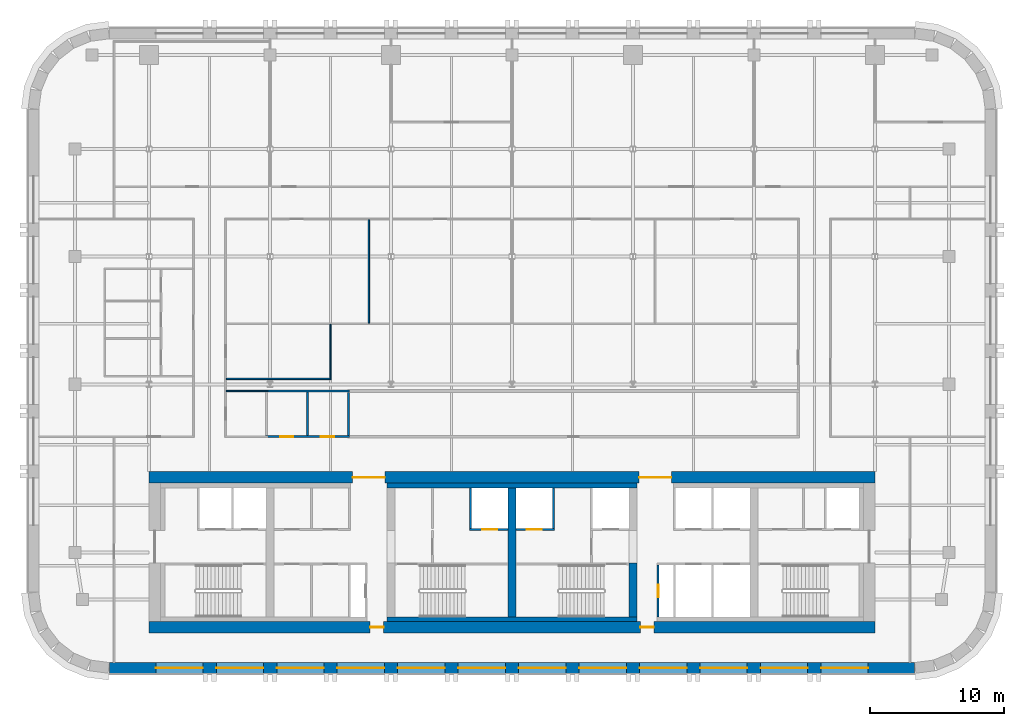
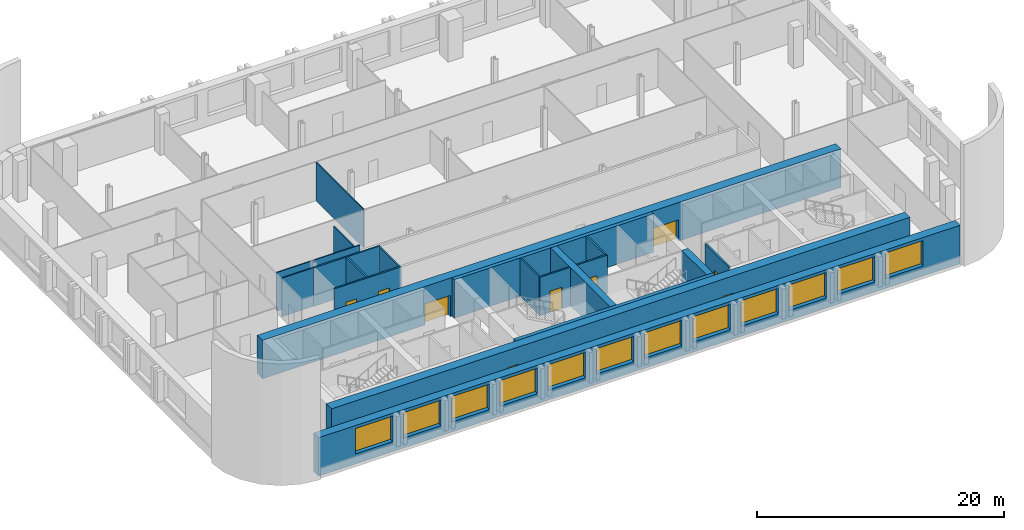
# One storey, part 4 of 9: 20 walls, 12 windows, 9 doors, 21 openings.
"""IFC4 building model written with IfcOpenShell, lengths in metres."""

from ifc_helpers import new_model, si_unit, direction, frame, frame_2d, origin, place, context, subcontext, project, spatial, rectangle, extrude, material, layer, layer_set, type_object, element, fill, save


model = new_model("IFC4")

# Units and contexts
model_context = context("Model", 3, precision=1e-05, world=origin(), true_north=direction((0.0, 1.0)))
body_context = subcontext(model_context, "Body", "Model", "MODEL_VIEW")
ifc_project = project(units=[si_unit("LENGTHUNIT", "METRE"), si_unit("AREAUNIT", "SQUARE_METRE"), si_unit("VOLUMEUNIT", "CUBIC_METRE"), si_unit("PLANEANGLEUNIT", "RADIAN"), si_unit("MASSUNIT", "GRAM", prefix="KILO")], contexts=[model_context])

# Site, building, storey
site_placement = place(None, origin())
site = spatial("IfcSite", under=ifc_project, at=site_placement, CompositionType="ELEMENT")
building_placement = place(site_placement, origin())
building = spatial("IfcBuilding", under=site, at=building_placement, Name="Zellij Exchange Tower", CompositionType="ELEMENT")
storey_placement = place(building_placement, frame((0.0, 0.0, 176.5)))
storey = spatial("IfcBuildingStorey", under=building, at=storey_placement, Name="L40", CompositionType="ELEMENT", Elevation=176.5)

# Walls
ifc_material_1 = material(Name="Concrete C60/75", Category="concrete")
ifc_layer_1 = layer(ifc_material_1, 0.60009765625)
ifc_layer_set_1 = layer_set([ifc_layer_1], Name="Concrete C60/75")
wall_type_1 = type_object("IfcWallType", Name="CORE-CW 600 C60/75", PredefinedType="SHEAR", material=ifc_layer_set_1)
wall_1_placement = place(storey_placement, frame((0.0, -12.800048828125, 0.0), z_axis=(0.0, 0.0, 1.0), x_axis=(0.0, 1.0, 0.0)))
element("IfcWall", 1, at=wall_1_placement, inside=storey, type_object=wall_type_1, Name="Core cross wall x 0 L40", PredefinedType="SHEAR", context=body_context, shape_type="SweptSolid", body=[
    extrude(rectangle(XDim=9.60009765625, YDim=0.60009765625, at=frame_2d((4.800048828125, 0.0))), origin(), (0.0, 0.0, 1.0), 3.800048828125),
])
wall_2_placement = place(storey_placement, frame((9.0, -12.800048828125, 0.0), z_axis=(0.0, 0.0, 1.0), x_axis=(0.0, 1.0, 0.0)))
element("IfcWall", 2, at=wall_2_placement, inside=storey, type_object=wall_type_1, Name="Core cross wall pier x 9 a L40", PredefinedType="SHEAR", context=body_context, shape_type="SweptSolid", body=[
    extrude(rectangle(XDim=4.0, YDim=0.60009765625, at=frame_2d((2.0, 0.0))), origin(), (0.0, 0.0, 1.0), 3.800048828125),
])
ifc_material_2 = material(Name="Concrete C30/37", Category="concrete")
ifc_layer_2 = layer(ifc_material_2, 0.35009765625)
ifc_layer_set_2 = layer_set([ifc_layer_2], Name="Concrete C30/37")
wall_type_2 = type_object("IfcWallType", Name="CORE-LW 350 C30/37", PredefinedType="SHEAR", material=ifc_layer_set_2)
for number, where, z_axis, x_axis, name in (
    (3, (-9.300048828125, -3.02490234375, 0.0), (0.0, 0.0, 1.0), (1.0, 0.0, 0.0), "Core wall lining front.1 L40"),
    (4, (-9.300048828125, -12.97509765625, 0.0), (0.0, 0.0, 1.0), (1.0, 0.0, 0.0), "Core wall lining rear.1 L40"),
):
    element("IfcWall", number, at=place(storey_placement, frame(where, z_axis=z_axis, x_axis=x_axis)), inside=storey, type_object=wall_type_2, Name=name, PredefinedType="SHEAR", context=body_context, shape_type="SweptSolid", body=[
        extrude(rectangle(XDim=18.60009765625, YDim=0.35009765625, at=frame_2d((9.300048828125, 0.0))), origin(), (0.0, 0.0, 1.0), 3.800048828125),
    ])

# Wall, opening, door
ifc_material_3 = material(Name="Gypsum board partition")
ifc_layer_3 = layer(ifc_material_3, 0.14990234375)
ifc_layer_set_3 = layer_set([ifc_layer_3], Name="Gypsum board partition")
wall_type_3 = type_object("IfcWallType", Name="CORE-PW 150 Lift lobby wall", PredefinedType="PARTITIONING", material=ifc_layer_set_3)
wall_3_placement = place(storey_placement, frame((10.875, -12.800048828125, 0.0), z_axis=(0.0, 0.0, 1.0), x_axis=(0.0, 1.0, 0.0)))
wall_3 = element("IfcWall", 5, at=wall_3_placement, inside=storey, type_object=wall_type_3, Name="Lift lobby wall L40", PredefinedType="PARTITIONING", context=body_context, shape_type="SweptSolid", body=[
    extrude(rectangle(XDim=3.85009765625, YDim=0.14990234375, at=frame_2d((1.925048828125, 0.0))), origin(), (0.0, 0.0, 1.0), 3.800048828125),
])
opening_1_placement = place(wall_3_placement, frame((1.47509765625, 0.0, 0.0)))
opening_1 = element("IfcOpeningElement", 6, at=opening_1_placement, cuts=wall_3, Name="Opening CA-22.21", PredefinedType="OPENING", context=body_context, shape_type="SweptSolid", body=[
    extrude(rectangle(XDim=0.89990234375, YDim=2.10009765625, at=frame_2d((0.449951171875, 1.050048828125))), frame((0.0, 0.0869140625, 0.0), z_axis=(0.0, -1.0, 0.0), x_axis=(1.0, 0.0, 0.0)), (0.0, 0.0, 1.0), 0.173828125),
])
ifc_material_4 = material(Name="Hollow metal fire door")
door_type_1 = type_object("IfcDoorType", Name="CORE-D RD Riser door 900x2100 1.5 HR", OperationType="NOTDEFINED", PredefinedType="DOOR", material=ifc_material_4)
door_1_placement = place(opening_1_placement, origin())
door_1 = element("IfcDoor", 7, at=door_1_placement, inside=storey, type_object=door_type_1, Name="Riser door CA-22.21", OperationType="SINGLE_SWING_LEFT", OverallHeight=2.10009765625, OverallWidth=0.89990234375, PredefinedType="DOOR", context=body_context, shape_type="SweptSolid", body=[
    extrude(rectangle(XDim=0.89990234375, YDim=2.10009765625, at=frame_2d((0.449951171875, 1.050048828125))), frame((0.0, 0.02490234375, 0.0), z_axis=(0.0, -1.0, 0.0), x_axis=(1.0, 0.0, 0.0)), (0.0, 0.0, 1.0), 0.050048828125),
])
fill(opening_1, door_1)

# Walls
ifc_material_5 = material(Name="Gypsum shaft wall system")
ifc_layer_4 = layer(ifc_material_5, 0.14990234375)
ifc_layer_set_4 = layer_set([ifc_layer_4], Name="Gypsum shaft wall system")
wall_type_4 = type_object("IfcWallType", Name="CORE-PW 150 Lift shaft wall", PredefinedType="PARTITIONING", material=ifc_layer_set_4)
for number, where, z_axis, x_axis, name in (
    (8, (-3.074951171875, -6.22509765625, 0.0), (0.0, 0.0, 1.0), (0.0, 1.0, 0.0), "Lift shaft wall L40"),
    (9, (3.074951171875, -6.22509765625, 0.0), (0.0, 0.0, 1.0), (0.0, 1.0, 0.0), "Lift shaft wall L40"),
):
    element("IfcWall", number, at=place(storey_placement, frame(where, z_axis=z_axis, x_axis=x_axis)), inside=storey, type_object=wall_type_4, Name=name, PredefinedType="PARTITIONING", context=body_context, shape_type="SweptSolid", body=[
        extrude(rectangle(XDim=3.025146484375, YDim=0.14990234375, at=frame_2d((1.5126953125, 0.0))), origin(), (0.0, 0.0, 1.0), 3.800048828125),
    ])

# Wall, opening, door
wall_4_placement = place(storey_placement, frame((-3.14990234375, -6.300048828125, 0.0), z_axis=(0.0, 0.0, 1.0), x_axis=(1.0, 0.0, 0.0)))
wall_4 = element("IfcWall", 10, at=wall_4_placement, inside=storey, type_object=wall_type_4, Name="Lift shaft wall L40", PredefinedType="PARTITIONING", context=body_context, shape_type="SweptSolid", body=[
    extrude(rectangle(XDim=2.849853515625, YDim=0.14990234375, at=frame_2d((1.4248046875, 0.0))), origin(), (0.0, 0.0, 1.0), 3.800048828125),
])
opening_2_placement = place(wall_4_placement, frame((0.949951171875, 0.0, 0.0)))
opening_2 = element("IfcOpeningElement", 11, at=opening_2_placement, cuts=wall_4, Name="Opening CA-22.14", PredefinedType="OPENING", context=body_context, shape_type="SweptSolid", body=[
    extrude(rectangle(XDim=1.10009765625, YDim=2.10009765625, at=frame_2d((0.550048828125, 1.050048828125))), frame((0.0, 0.0869140625, 0.0), z_axis=(0.0, -1.0, 0.0), x_axis=(1.0, 0.0, 0.0)), (0.0, 0.0, 1.0), 0.173828125),
])
door_type_2 = type_object("IfcDoorType", Name="CORE-D LD Lift landing door 1100x2100 1.5 HR", OperationType="NOTDEFINED", PredefinedType="DOOR", material=ifc_material_4)
door_2_placement = place(opening_2_placement, origin())
door_2 = element("IfcDoor", 12, at=door_2_placement, inside=storey, type_object=door_type_2, Name="Lift landing door CA-22.14", OperationType="SLIDING_TO_RIGHT", OverallHeight=2.10009765625, OverallWidth=1.10009765625, PredefinedType="DOOR", context=body_context, shape_type="SweptSolid", body=[
    extrude(rectangle(XDim=1.10009765625, YDim=2.10009765625, at=frame_2d((0.550048828125, 1.050048828125))), frame((0.0, 0.02490234375, 0.0), z_axis=(0.0, -1.0, 0.0), x_axis=(1.0, 0.0, 0.0)), (0.0, 0.0, 1.0), 0.050048828125),
])
fill(opening_2, door_2)

wall_5_placement = place(storey_placement, frame((0.300048828125, -6.300048828125, 0.0), z_axis=(0.0, 0.0, 1.0), x_axis=(1.0, 0.0, 0.0)))
wall_5 = element("IfcWall", 13, at=wall_5_placement, inside=storey, type_object=wall_type_4, Name="Lift shaft wall L40", PredefinedType="PARTITIONING", context=body_context, shape_type="SweptSolid", body=[
    extrude(rectangle(XDim=2.849853515625, YDim=0.14990234375, at=frame_2d((1.4248046875, 0.0))), origin(), (0.0, 0.0, 1.0), 3.800048828125),
])
opening_3_placement = place(wall_5_placement, frame((0.800048828125, 0.0, 0.0)))
opening_3 = element("IfcOpeningElement", 14, at=opening_3_placement, cuts=wall_5, Name="Opening CA-22.15", PredefinedType="OPENING", context=body_context, shape_type="SweptSolid", body=[
    extrude(rectangle(XDim=1.10009765625, YDim=2.10009765625, at=frame_2d((0.550048828125, 1.050048828125))), frame((0.0, 0.0869140625, 0.0), z_axis=(0.0, -1.0, 0.0), x_axis=(1.0, 0.0, 0.0)), (0.0, 0.0, 1.0), 0.173828125),
])
door_3_placement = place(opening_3_placement, origin())
door_3 = element("IfcDoor", 15, at=door_3_placement, inside=storey, type_object=door_type_2, Name="Lift landing door CA-22.15", OperationType="SLIDING_TO_LEFT", OverallHeight=2.10009765625, OverallWidth=1.10009765625, PredefinedType="DOOR", context=body_context, shape_type="SweptSolid", body=[
    extrude(rectangle(XDim=1.10009765625, YDim=2.10009765625, at=frame_2d((0.550048828125, 1.050048828125))), frame((0.0, 0.02490234375, 0.0), z_axis=(0.0, -1.0, 0.0), x_axis=(1.0, 0.0, 0.0)), (0.0, 0.0, 1.0), 0.050048828125),
])
fill(opening_3, door_3)

# Wall, openings, doors
ifc_layer_5 = layer(ifc_material_1, 0.85009765625)
ifc_layer_set_5 = layer_set([ifc_layer_5], Name="Concrete C60/75")
wall_type_5 = type_object("IfcWallType", Name="CORE-SW 850 C60/75", PredefinedType="SHEAR", material=ifc_layer_set_5)
wall_6_placement = place(storey_placement, frame((-27.0, -2.425048828125, 0.0), z_axis=(0.0, 0.0, 1.0), x_axis=(1.0, 0.0, 0.0)))
wall_6 = element("IfcWall", 16, at=wall_6_placement, inside=storey, type_object=wall_type_5, Name="Core shear wall front L40", PredefinedType="SHEAR", context=body_context, shape_type="SweptSolid", body=[
    extrude(rectangle(XDim=54.0, YDim=0.85009765625, at=frame_2d((27.0, 0.0))), origin(), (0.0, 0.0, 1.0), 3.800048828125),
])
opening_4_placement = place(wall_6_placement, frame((15.14990234375, 0.0, 0.0)))
opening_4 = element("IfcOpeningElement", 17, at=opening_4_placement, cuts=wall_6, Name="Opening CA-22.10", PredefinedType="OPENING", context=body_context, shape_type="SweptSolid", body=[
    extrude(rectangle(XDim=2.39990234375, YDim=2.10009765625, at=frame_2d((1.199951171875, 1.050048828125))), frame((0.0, 0.43701171875, 0.0), z_axis=(0.0, -1.0, 0.0), x_axis=(1.0, 0.0, 0.0)), (0.0, 0.0, 1.0), 0.8740234375),
])
opening_5_placement = place(wall_6_placement, frame((36.449951171875, 0.0, 0.0)))
opening_5 = element("IfcOpeningElement", 18, at=opening_5_placement, cuts=wall_6, Name="Opening CA-22.20", PredefinedType="OPENING", context=body_context, shape_type="SweptSolid", body=[
    extrude(rectangle(XDim=2.39990234375, YDim=2.10009765625, at=frame_2d((1.199951171875, 1.050048828125))), frame((0.0, 0.43701171875, 0.0), z_axis=(0.0, -1.0, 0.0), x_axis=(1.0, 0.0, 0.0)), (0.0, 0.0, 1.0), 0.8740234375),
])
door_type_3 = type_object("IfcDoorType", Name="CORE-D CE Core entrance door 2400x2100 20 MIN", OperationType="NOTDEFINED", PredefinedType="DOOR", material=ifc_material_4)
door_4_placement = place(opening_4_placement, origin())
door_4 = element("IfcDoor", 19, at=door_4_placement, inside=storey, type_object=door_type_3, Name="Core entrance door CA-22.10", OperationType="DOUBLE_DOOR_SINGLE_SWING", OverallHeight=2.10009765625, OverallWidth=2.39990234375, PredefinedType="DOOR", context=body_context, shape_type="SweptSolid", body=[
    extrude(rectangle(XDim=2.39990234375, YDim=2.10009765625, at=frame_2d((1.199951171875, 1.050048828125))), frame((0.0, 0.02490234375, 0.0), z_axis=(0.0, -1.0, 0.0), x_axis=(1.0, 0.0, 0.0)), (0.0, 0.0, 1.0), 0.050048828125),
])
fill(opening_4, door_4)
door_5_placement = place(opening_5_placement, origin())
door_5 = element("IfcDoor", 20, at=door_5_placement, inside=storey, type_object=door_type_3, Name="Core entrance door CA-22.20", OperationType="DOUBLE_DOOR_SINGLE_SWING", OverallHeight=2.10009765625, OverallWidth=2.39990234375, PredefinedType="DOOR", context=body_context, shape_type="SweptSolid", body=[
    extrude(rectangle(XDim=2.39990234375, YDim=2.10009765625, at=frame_2d((1.199951171875, 1.050048828125))), frame((0.0, 0.02490234375, 0.0), z_axis=(0.0, -1.0, 0.0), x_axis=(1.0, 0.0, 0.0)), (0.0, 0.0, 1.0), 0.050048828125),
])
fill(opening_5, door_5)

wall_7_placement = place(storey_placement, frame((-27.0, -13.574951171875, 0.0), z_axis=(0.0, 0.0, 1.0), x_axis=(1.0, 0.0, 0.0)))
wall_7 = element("IfcWall", 21, at=wall_7_placement, inside=storey, type_object=wall_type_5, Name="Core shear wall rear L40", PredefinedType="SHEAR", context=body_context, shape_type="SweptSolid", body=[
    extrude(rectangle(XDim=54.0, YDim=0.85009765625, at=frame_2d((27.0, 0.0))), origin(), (0.0, 0.0, 1.0), 3.800048828125),
])
opening_6_placement = place(wall_7_placement, frame((16.449951171875, 0.0, 0.0)))
opening_6 = element("IfcOpeningElement", 22, at=opening_6_placement, cuts=wall_7, Name="Opening CA-22.11", PredefinedType="OPENING", context=body_context, shape_type="SweptSolid", body=[
    extrude(rectangle(XDim=1.0, YDim=2.10009765625, at=frame_2d((0.5, 1.050048828125))), frame((0.0, 0.43701171875, 0.0), z_axis=(0.0, -1.0, 0.0), x_axis=(1.0, 0.0, 0.0)), (0.0, 0.0, 1.0), 0.8740234375),
])
opening_7_placement = place(wall_7_placement, frame((36.550048828125, 0.0, 0.0)))
opening_7 = element("IfcOpeningElement", 23, at=opening_7_placement, cuts=wall_7, Name="Opening CA-22.19", PredefinedType="OPENING", context=body_context, shape_type="SweptSolid", body=[
    extrude(rectangle(XDim=1.0, YDim=2.10009765625, at=frame_2d((0.5, 1.050048828125))), frame((0.0, 0.43701171875, 0.0), z_axis=(0.0, -1.0, 0.0), x_axis=(1.0, 0.0, 0.0)), (0.0, 0.0, 1.0), 0.8740234375),
])
door_type_4 = type_object("IfcDoorType", Name="CORE-D CR Core rear door 1000x2100 20 MIN", OperationType="NOTDEFINED", PredefinedType="DOOR", material=ifc_material_4)
door_6_placement = place(opening_6_placement, origin())
door_6 = element("IfcDoor", 24, at=door_6_placement, inside=storey, type_object=door_type_4, Name="Core rear door CA-22.11", OperationType="SINGLE_SWING_RIGHT", OverallHeight=2.10009765625, OverallWidth=1.0, PredefinedType="DOOR", context=body_context, shape_type="SweptSolid", body=[
    extrude(rectangle(XDim=1.0, YDim=2.10009765625, at=frame_2d((0.5, 1.050048828125))), frame((0.0, 0.02490234375, 0.0), z_axis=(0.0, -1.0, 0.0), x_axis=(1.0, 0.0, 0.0)), (0.0, 0.0, 1.0), 0.050048828125),
])
fill(opening_6, door_6)
door_7_placement = place(opening_7_placement, origin())
door_7 = element("IfcDoor", 25, at=door_7_placement, inside=storey, type_object=door_type_4, Name="Core rear door CA-22.19", OperationType="SINGLE_SWING_LEFT", OverallHeight=2.10009765625, OverallWidth=1.0, PredefinedType="DOOR", context=body_context, shape_type="SweptSolid", body=[
    extrude(rectangle(XDim=1.0, YDim=2.10009765625, at=frame_2d((0.5, 1.050048828125))), frame((0.0, 0.02490234375, 0.0), z_axis=(0.0, -1.0, 0.0), x_axis=(1.0, 0.0, 0.0)), (0.0, 0.0, 1.0), 0.050048828125),
])
fill(opening_7, door_7)

# Wall, openings, windows
ifc_material_6 = material(Name="Precast concrete C40/50", Category="concrete")
ifc_layer_6 = layer(ifc_material_6, 0.800048828125)
ifc_layer_set_6 = layer_set([ifc_layer_6], Name="Precast concrete C40/50")
wall_type_6 = type_object("IfcWallType", Name="ENV-EW1 Precast stone-piered wall 800", PredefinedType="SOLIDWALL", material=ifc_layer_set_6)
wall_8_placement = place(storey_placement, frame((-29.947509765625, -16.60009765625, 0.0), z_axis=(0.0, 0.0, 1.0), x_axis=(1.0, 0.0, 0.0)))
wall_8 = element("IfcWall", 26, at=wall_8_placement, inside=storey, type_object=wall_type_6, Name="fac.L40.00", PredefinedType="SOLIDWALL", context=body_context, shape_type="SweptSolid", body=[
    extrude(rectangle(XDim=59.89501953125, YDim=0.800048828125, at=frame_2d((29.947509765625, 0.0))), origin(), (0.0, 0.0, 1.0), 3.800048828125),
])
opening_8_placement = place(wall_8_placement, frame((3.447509765625, 0.0, 1.0)))
opening_8 = element("IfcOpeningElement", 27, at=opening_8_placement, cuts=wall_8, Name="Opening FZ3.01", PredefinedType="OPENING", context=body_context, shape_type="SweptSolid", body=[
    extrude(rectangle(XDim=3.5, YDim=2.5, at=frame_2d((1.75, 1.25))), frame((0.0, 0.412109375, 0.0), z_axis=(0.0, -1.0, 0.0), x_axis=(1.0, 0.0, 0.0)), (0.0, 0.0, 1.0), 0.823974609375),
])
opening_9_placement = place(wall_8_placement, frame((7.947509765625, 0.0, 1.0)))
opening_9 = element("IfcOpeningElement", 28, at=opening_9_placement, cuts=wall_8, Name="Opening FZ3.02", PredefinedType="OPENING", context=body_context, shape_type="SweptSolid", body=[
    extrude(rectangle(XDim=3.5, YDim=2.5, at=frame_2d((1.75, 1.25))), frame((0.0, 0.412109375, 0.0), z_axis=(0.0, -1.0, 0.0), x_axis=(1.0, 0.0, 0.0)), (0.0, 0.0, 1.0), 0.823974609375),
])
opening_10_placement = place(wall_8_placement, frame((12.447509765625, 0.0, 1.0)))
opening_10 = element("IfcOpeningElement", 29, at=opening_10_placement, cuts=wall_8, Name="Opening FZ3.03", PredefinedType="OPENING", context=body_context, shape_type="SweptSolid", body=[
    extrude(rectangle(XDim=3.5, YDim=2.5, at=frame_2d((1.75, 1.25))), frame((0.0, 0.412109375, 0.0), z_axis=(0.0, -1.0, 0.0), x_axis=(1.0, 0.0, 0.0)), (0.0, 0.0, 1.0), 0.823974609375),
])
opening_11_placement = place(wall_8_placement, frame((16.947509765625, 0.0, 1.0)))
opening_11 = element("IfcOpeningElement", 30, at=opening_11_placement, cuts=wall_8, Name="Opening FZ3.04", PredefinedType="OPENING", context=body_context, shape_type="SweptSolid", body=[
    extrude(rectangle(XDim=3.5, YDim=2.5, at=frame_2d((1.75, 1.25))), frame((0.0, 0.412109375, 0.0), z_axis=(0.0, -1.0, 0.0), x_axis=(1.0, 0.0, 0.0)), (0.0, 0.0, 1.0), 0.823974609375),
])
opening_12_placement = place(wall_8_placement, frame((21.447509765625, 0.0, 1.0)))
opening_12 = element("IfcOpeningElement", 31, at=opening_12_placement, cuts=wall_8, Name="Opening FZ3.05", PredefinedType="OPENING", context=body_context, shape_type="SweptSolid", body=[
    extrude(rectangle(XDim=3.5, YDim=2.5, at=frame_2d((1.75, 1.25))), frame((0.0, 0.412109375, 0.0), z_axis=(0.0, -1.0, 0.0), x_axis=(1.0, 0.0, 0.0)), (0.0, 0.0, 1.0), 0.823974609375),
])
opening_13_placement = place(wall_8_placement, frame((25.947509765625, 0.0, 1.0)))
opening_13 = element("IfcOpeningElement", 32, at=opening_13_placement, cuts=wall_8, Name="Opening FZ3.06", PredefinedType="OPENING", context=body_context, shape_type="SweptSolid", body=[
    extrude(rectangle(XDim=3.5, YDim=2.5, at=frame_2d((1.75, 1.25))), frame((0.0, 0.412109375, 0.0), z_axis=(0.0, -1.0, 0.0), x_axis=(1.0, 0.0, 0.0)), (0.0, 0.0, 1.0), 0.823974609375),
])
opening_14_placement = place(wall_8_placement, frame((30.447509765625, 0.0, 1.0)))
opening_14 = element("IfcOpeningElement", 33, at=opening_14_placement, cuts=wall_8, Name="Opening FZ3.07", PredefinedType="OPENING", context=body_context, shape_type="SweptSolid", body=[
    extrude(rectangle(XDim=3.5, YDim=2.5, at=frame_2d((1.75, 1.25))), frame((0.0, 0.412109375, 0.0), z_axis=(0.0, -1.0, 0.0), x_axis=(1.0, 0.0, 0.0)), (0.0, 0.0, 1.0), 0.823974609375),
])
opening_15_placement = place(wall_8_placement, frame((34.947509765625, 0.0, 1.0)))
opening_15 = element("IfcOpeningElement", 34, at=opening_15_placement, cuts=wall_8, Name="Opening FZ3.08", PredefinedType="OPENING", context=body_context, shape_type="SweptSolid", body=[
    extrude(rectangle(XDim=3.5, YDim=2.5, at=frame_2d((1.75, 1.25))), frame((0.0, 0.412109375, 0.0), z_axis=(0.0, -1.0, 0.0), x_axis=(1.0, 0.0, 0.0)), (0.0, 0.0, 1.0), 0.823974609375),
])
opening_16_placement = place(wall_8_placement, frame((39.447509765625, 0.0, 1.0)))
opening_16 = element("IfcOpeningElement", 35, at=opening_16_placement, cuts=wall_8, Name="Opening FZ3.09", PredefinedType="OPENING", context=body_context, shape_type="SweptSolid", body=[
    extrude(rectangle(XDim=3.5, YDim=2.5, at=frame_2d((1.75, 1.25))), frame((0.0, 0.412109375, 0.0), z_axis=(0.0, -1.0, 0.0), x_axis=(1.0, 0.0, 0.0)), (0.0, 0.0, 1.0), 0.823974609375),
])
opening_17_placement = place(wall_8_placement, frame((43.947509765625, 0.0, 1.0)))
opening_17 = element("IfcOpeningElement", 36, at=opening_17_placement, cuts=wall_8, Name="Opening FZ3.10", PredefinedType="OPENING", context=body_context, shape_type="SweptSolid", body=[
    extrude(rectangle(XDim=3.5, YDim=2.5, at=frame_2d((1.75, 1.25))), frame((0.0, 0.412109375, 0.0), z_axis=(0.0, -1.0, 0.0), x_axis=(1.0, 0.0, 0.0)), (0.0, 0.0, 1.0), 0.823974609375),
])
opening_18_placement = place(wall_8_placement, frame((48.447509765625, 0.0, 1.0)))
opening_18 = element("IfcOpeningElement", 37, at=opening_18_placement, cuts=wall_8, Name="Opening FZ3.11", PredefinedType="OPENING", context=body_context, shape_type="SweptSolid", body=[
    extrude(rectangle(XDim=3.5, YDim=2.5, at=frame_2d((1.75, 1.25))), frame((0.0, 0.412109375, 0.0), z_axis=(0.0, -1.0, 0.0), x_axis=(1.0, 0.0, 0.0)), (0.0, 0.0, 1.0), 0.823974609375),
])
opening_19_placement = place(wall_8_placement, frame((52.947509765625, 0.0, 1.0)))
opening_19 = element("IfcOpeningElement", 38, at=opening_19_placement, cuts=wall_8, Name="Opening FZ3.12", PredefinedType="OPENING", context=body_context, shape_type="SweptSolid", body=[
    extrude(rectangle(XDim=3.5, YDim=2.5, at=frame_2d((1.75, 1.25))), frame((0.0, 0.412109375, 0.0), z_axis=(0.0, -1.0, 0.0), x_axis=(1.0, 0.0, 0.0)), (0.0, 0.0, 1.0), 0.823974609375),
])
ifc_material_7 = material(Name="Aluminium frame with insulating glass", Category="aluminium")
window_type = type_object("IfcWindowType", Name="ENV-W1 Window 3500x2500", PartitioningType="SINGLE_PANEL", PredefinedType="WINDOW", material=ifc_material_7)
window_1_placement = place(opening_8_placement, origin())
window_1 = element("IfcWindow", 39, at=window_1_placement, inside=storey, type_object=window_type, Name="Window FZ3.01", OverallHeight=2.5, OverallWidth=3.5, PartitioningType="SINGLE_PANEL", PredefinedType="WINDOW", context=body_context, shape_type="SweptSolid", body=[
    extrude(rectangle(XDim=3.5, YDim=2.5, at=frame_2d((1.75, 1.25))), frame((0.0, 0.030029296875, 0.0), z_axis=(0.0, -1.0, 0.0), x_axis=(1.0, 0.0, 0.0)), (0.0, 0.0, 1.0), 0.06005859375),
])
fill(opening_8, window_1)
window_2_placement = place(opening_9_placement, origin())
window_2 = element("IfcWindow", 40, at=window_2_placement, inside=storey, type_object=window_type, Name="Window FZ3.02", OverallHeight=2.5, OverallWidth=3.5, PartitioningType="SINGLE_PANEL", PredefinedType="WINDOW", context=body_context, shape_type="SweptSolid", body=[
    extrude(rectangle(XDim=3.5, YDim=2.5, at=frame_2d((1.75, 1.25))), frame((0.0, 0.030029296875, 0.0), z_axis=(0.0, -1.0, 0.0), x_axis=(1.0, 0.0, 0.0)), (0.0, 0.0, 1.0), 0.06005859375),
])
fill(opening_9, window_2)
window_3_placement = place(opening_10_placement, origin())
window_3 = element("IfcWindow", 41, at=window_3_placement, inside=storey, type_object=window_type, Name="Window FZ3.03", OverallHeight=2.5, OverallWidth=3.5, PartitioningType="SINGLE_PANEL", PredefinedType="WINDOW", context=body_context, shape_type="SweptSolid", body=[
    extrude(rectangle(XDim=3.5, YDim=2.5, at=frame_2d((1.75, 1.25))), frame((0.0, 0.030029296875, 0.0), z_axis=(0.0, -1.0, 0.0), x_axis=(1.0, 0.0, 0.0)), (0.0, 0.0, 1.0), 0.06005859375),
])
fill(opening_10, window_3)
window_4_placement = place(opening_11_placement, origin())
window_4 = element("IfcWindow", 42, at=window_4_placement, inside=storey, type_object=window_type, Name="Window FZ3.04", OverallHeight=2.5, OverallWidth=3.5, PartitioningType="SINGLE_PANEL", PredefinedType="WINDOW", context=body_context, shape_type="SweptSolid", body=[
    extrude(rectangle(XDim=3.5, YDim=2.5, at=frame_2d((1.75, 1.25))), frame((0.0, 0.030029296875, 0.0), z_axis=(0.0, -1.0, 0.0), x_axis=(1.0, 0.0, 0.0)), (0.0, 0.0, 1.0), 0.06005859375),
])
fill(opening_11, window_4)
window_5_placement = place(opening_12_placement, origin())
window_5 = element("IfcWindow", 43, at=window_5_placement, inside=storey, type_object=window_type, Name="Window FZ3.05", OverallHeight=2.5, OverallWidth=3.5, PartitioningType="SINGLE_PANEL", PredefinedType="WINDOW", context=body_context, shape_type="SweptSolid", body=[
    extrude(rectangle(XDim=3.5, YDim=2.5, at=frame_2d((1.75, 1.25))), frame((0.0, 0.030029296875, 0.0), z_axis=(0.0, -1.0, 0.0), x_axis=(1.0, 0.0, 0.0)), (0.0, 0.0, 1.0), 0.06005859375),
])
fill(opening_12, window_5)
window_6_placement = place(opening_13_placement, origin())
window_6 = element("IfcWindow", 44, at=window_6_placement, inside=storey, type_object=window_type, Name="Window FZ3.06", OverallHeight=2.5, OverallWidth=3.5, PartitioningType="SINGLE_PANEL", PredefinedType="WINDOW", context=body_context, shape_type="SweptSolid", body=[
    extrude(rectangle(XDim=3.5, YDim=2.5, at=frame_2d((1.75, 1.25))), frame((0.0, 0.030029296875, 0.0), z_axis=(0.0, -1.0, 0.0), x_axis=(1.0, 0.0, 0.0)), (0.0, 0.0, 1.0), 0.06005859375),
])
fill(opening_13, window_6)
window_7_placement = place(opening_14_placement, origin())
window_7 = element("IfcWindow", 45, at=window_7_placement, inside=storey, type_object=window_type, Name="Window FZ3.07", OverallHeight=2.5, OverallWidth=3.5, PartitioningType="SINGLE_PANEL", PredefinedType="WINDOW", context=body_context, shape_type="SweptSolid", body=[
    extrude(rectangle(XDim=3.5, YDim=2.5, at=frame_2d((1.75, 1.25))), frame((0.0, 0.030029296875, 0.0), z_axis=(0.0, -1.0, 0.0), x_axis=(1.0, 0.0, 0.0)), (0.0, 0.0, 1.0), 0.06005859375),
])
fill(opening_14, window_7)
window_8_placement = place(opening_15_placement, origin())
window_8 = element("IfcWindow", 46, at=window_8_placement, inside=storey, type_object=window_type, Name="Window FZ3.08", OverallHeight=2.5, OverallWidth=3.5, PartitioningType="SINGLE_PANEL", PredefinedType="WINDOW", context=body_context, shape_type="SweptSolid", body=[
    extrude(rectangle(XDim=3.5, YDim=2.5, at=frame_2d((1.75, 1.25))), frame((0.0, 0.030029296875, 0.0), z_axis=(0.0, -1.0, 0.0), x_axis=(1.0, 0.0, 0.0)), (0.0, 0.0, 1.0), 0.06005859375),
])
fill(opening_15, window_8)
window_9_placement = place(opening_16_placement, origin())
window_9 = element("IfcWindow", 47, at=window_9_placement, inside=storey, type_object=window_type, Name="Window FZ3.09", OverallHeight=2.5, OverallWidth=3.5, PartitioningType="SINGLE_PANEL", PredefinedType="WINDOW", context=body_context, shape_type="SweptSolid", body=[
    extrude(rectangle(XDim=3.5, YDim=2.5, at=frame_2d((1.75, 1.25))), frame((0.0, 0.030029296875, 0.0), z_axis=(0.0, -1.0, 0.0), x_axis=(1.0, 0.0, 0.0)), (0.0, 0.0, 1.0), 0.06005859375),
])
fill(opening_16, window_9)
window_10_placement = place(opening_17_placement, origin())
window_10 = element("IfcWindow", 48, at=window_10_placement, inside=storey, type_object=window_type, Name="Window FZ3.10", OverallHeight=2.5, OverallWidth=3.5, PartitioningType="SINGLE_PANEL", PredefinedType="WINDOW", context=body_context, shape_type="SweptSolid", body=[
    extrude(rectangle(XDim=3.5, YDim=2.5, at=frame_2d((1.75, 1.25))), frame((0.0, 0.030029296875, 0.0), z_axis=(0.0, -1.0, 0.0), x_axis=(1.0, 0.0, 0.0)), (0.0, 0.0, 1.0), 0.06005859375),
])
fill(opening_17, window_10)
window_11_placement = place(opening_18_placement, origin())
window_11 = element("IfcWindow", 49, at=window_11_placement, inside=storey, type_object=window_type, Name="Window FZ3.11", OverallHeight=2.5, OverallWidth=3.5, PartitioningType="SINGLE_PANEL", PredefinedType="WINDOW", context=body_context, shape_type="SweptSolid", body=[
    extrude(rectangle(XDim=3.5, YDim=2.5, at=frame_2d((1.75, 1.25))), frame((0.0, 0.030029296875, 0.0), z_axis=(0.0, -1.0, 0.0), x_axis=(1.0, 0.0, 0.0)), (0.0, 0.0, 1.0), 0.06005859375),
])
fill(opening_18, window_11)
window_12_placement = place(opening_19_placement, origin())
window_12 = element("IfcWindow", 50, at=window_12_placement, inside=storey, type_object=window_type, Name="Window FZ3.12", OverallHeight=2.5, OverallWidth=3.5, PartitioningType="SINGLE_PANEL", PredefinedType="WINDOW", context=body_context, shape_type="SweptSolid", body=[
    extrude(rectangle(XDim=3.5, YDim=2.5, at=frame_2d((1.75, 1.25))), frame((0.0, 0.030029296875, 0.0), z_axis=(0.0, -1.0, 0.0), x_axis=(1.0, 0.0, 0.0)), (0.0, 0.0, 1.0), 0.06005859375),
])
fill(opening_19, window_12)

# Walls
ifc_material_8 = material(Name="Gypsum board partition on steel studs", Category="steel")
ifc_layer_7 = layer(ifc_material_8, 0.10009765625)
ifc_layer_set_7 = layer_set([ifc_layer_7], Name="Gypsum board partition on steel studs")
wall_type_7 = type_object("IfcWallType", Name="FIT-PARTITION-100", PredefinedType="PARTITIONING", material=ifc_layer_set_7)
wall_9_placement = place(storey_placement, frame((-21.25, 4.0, 0.0), z_axis=(0.0, 0.0, 1.0), x_axis=(1.0, 0.0, 0.0)))
element("IfcWall", 51, at=wall_9_placement, inside=storey, type_object=wall_type_7, Name="FIT-PARTITION-100 015", PredefinedType="PARTITIONING", context=body_context, shape_type="SweptSolid", body=[
    extrude(rectangle(XDim=3.06494140625, YDim=0.10009765625, at=frame_2d((1.532470703125, 0.0))), origin(), (0.0, 0.0, 1.0), 3.800048828125),
])
wall_10_placement = place(storey_placement, frame((-21.25, 4.89990234375, 0.0), z_axis=(0.0, 0.0, 1.0), x_axis=(1.0, 0.0, 0.0)))
element("IfcWall", 52, at=wall_10_placement, inside=storey, type_object=wall_type_7, Name="FIT-PARTITION-100 019", PredefinedType="PARTITIONING", context=body_context, shape_type="SweptSolid", body=[
    extrude(rectangle(XDim=7.800048828125, YDim=0.10009765625, at=frame_2d((3.89990234375, 0.0))), origin(), (0.0, 0.0, 1.0), 3.800048828125),
])
wall_11_placement = place(storey_placement, frame((-13.5, 4.949951171875, 0.0), z_axis=(0.0, 0.0, 1.0), x_axis=(0.0, 1.0, 0.0)))
element("IfcWall", 53, at=wall_11_placement, inside=storey, type_object=wall_type_7, Name="FIT-PARTITION-100 020", PredefinedType="PARTITIONING", context=body_context, shape_type="SweptSolid", body=[
    extrude(rectangle(XDim=4.0, YDim=0.10009765625, at=frame_2d((2.0, 0.0))), origin(), (0.0, 0.0, 1.0), 3.200439453125),
])
wall_12_placement = place(storey_placement, frame((-10.64990234375, 9.050048828125, 0.0), z_axis=(0.0, 0.0, 1.0), x_axis=(0.0, 1.0, 0.0)))
element("IfcWall", 54, at=wall_12_placement, inside=storey, type_object=wall_type_7, Name="FIT-PARTITION-100 026", PredefinedType="PARTITIONING", context=body_context, shape_type="SweptSolid", body=[
    extrude(rectangle(XDim=7.699951171875, YDim=0.10009765625, at=frame_2d((3.85009765625, 0.0))), origin(), (0.0, 0.0, 1.0), 3.800048828125),
])

# Wall, openings, doors
ifc_material_9 = material(Name="Gypsum board shaft-wall partition", Category="gypsum")
ifc_layer_8 = layer(ifc_material_9, 0.14990234375)
ifc_layer_set_8 = layer_set([ifc_layer_8], Name="Gypsum board shaft-wall partition")
wall_type_8 = type_object("IfcWallType", Name="FIT-PARTITION-150-EI60", PredefinedType="PARTITIONING", material=ifc_layer_set_8)
wall_13_placement = place(storey_placement, frame((-18.3349609375, 0.60009765625, 0.0), z_axis=(0.0, 0.0, 1.0), x_axis=(1.0, 0.0, 0.0)))
wall_13 = element("IfcWall", 55, at=wall_13_placement, inside=storey, type_object=wall_type_8, Name="FIT-PARTITION-150-EI60 007", PredefinedType="PARTITIONING", context=body_context, shape_type="SweptSolid", body=[
    extrude(rectangle(XDim=6.239990234375, YDim=0.14990234375, at=frame_2d((3.1201171875, 0.0))), origin(), (0.0, 0.0, 1.0), 3.800048828125),
])
opening_20_placement = place(wall_13_placement, frame((1.077880859375, 0.0, 0.0)))
opening_20 = element("IfcOpeningElement", 56, at=opening_20_placement, cuts=wall_13, Name="Opening O3B.04", PredefinedType="OPENING", context=body_context, shape_type="SweptSolid", body=[
    extrude(rectangle(XDim=1.0, YDim=2.10009765625, at=frame_2d((0.5, 1.050048828125))), frame((0.0, 0.0869140625, 0.0), z_axis=(0.0, -1.0, 0.0), x_axis=(1.0, 0.0, 0.0)), (0.0, 0.0, 1.0), 0.173828125),
])
opening_21_placement = place(wall_13_placement, frame((4.12109375, 0.0, 0.0)))
opening_21 = element("IfcOpeningElement", 57, at=opening_21_placement, cuts=wall_13, Name="Opening O3B.05", PredefinedType="OPENING", context=body_context, shape_type="SweptSolid", body=[
    extrude(rectangle(XDim=1.0, YDim=2.10009765625, at=frame_2d((0.5, 1.050048828125))), frame((0.0, 0.0869140625, 0.0), z_axis=(0.0, -1.0, 0.0), x_axis=(1.0, 0.0, 0.0)), (0.0, 0.0, 1.0), 0.173828125),
])
ifc_material_10 = material(Name="Steel fire door set", Category="steel")
door_type_5 = type_object("IfcDoorType", Name="FIT-D4-FIRE-1000X2100", OperationType="SINGLE_SWING_LEFT", PredefinedType="DOOR", material=ifc_material_10)
door_8_placement = place(opening_20_placement, origin())
door_8 = element("IfcDoor", 58, at=door_8_placement, inside=storey, type_object=door_type_5, Name="Door O3B.04", OperationType="SINGLE_SWING_LEFT", OverallHeight=2.10009765625, OverallWidth=1.0, PredefinedType="DOOR", context=body_context, shape_type="SweptSolid", body=[
    extrude(rectangle(XDim=1.0, YDim=2.10009765625, at=frame_2d((0.5, 1.050048828125))), frame((0.0, 0.02490234375, 0.0), z_axis=(0.0, -1.0, 0.0), x_axis=(1.0, 0.0, 0.0)), (0.0, 0.0, 1.0), 0.050048828125),
])
fill(opening_20, door_8)
door_9_placement = place(opening_21_placement, origin())
door_9 = element("IfcDoor", 59, at=door_9_placement, inside=storey, type_object=door_type_5, Name="Door O3B.05", OperationType="SINGLE_SWING_LEFT", OverallHeight=2.10009765625, OverallWidth=1.0, PredefinedType="DOOR", context=body_context, shape_type="SweptSolid", body=[
    extrude(rectangle(XDim=1.0, YDim=2.10009765625, at=frame_2d((0.5, 1.050048828125))), frame((0.0, 0.02490234375, 0.0), z_axis=(0.0, -1.0, 0.0), x_axis=(1.0, 0.0, 0.0)), (0.0, 0.0, 1.0), 0.050048828125),
])
fill(opening_21, door_9)

# Walls
wall_14_placement = place(storey_placement, frame((-15.2099609375, 0.675048828125, 0.0), z_axis=(0.0, 0.0, 1.0), x_axis=(0.0, 1.0, 0.0)))
element("IfcWall", 60, at=wall_14_placement, inside=storey, type_object=wall_type_8, Name="FIT-PARTITION-150-EI60 009", PredefinedType="PARTITIONING", context=body_context, shape_type="SweptSolid", body=[
    extrude(rectangle(XDim=3.25, YDim=0.14990234375, at=frame_2d((1.625, 0.0))), origin(), (0.0, 0.0, 1.0), 3.800048828125),
])
wall_15_placement = place(storey_placement, frame((-12.169921875, 0.699951171875, 0.0), z_axis=(0.0, 0.0, 1.0), x_axis=(0.0, 1.0, 0.0)))
element("IfcWall", 61, at=wall_15_placement, inside=storey, type_object=wall_type_8, Name="FIT-PARTITION-150-EI60 011", PredefinedType="PARTITIONING", context=body_context, shape_type="SweptSolid", body=[
    extrude(rectangle(XDim=3.199951171875, YDim=0.14990234375, at=frame_2d((1.60009765625, 0.0))), origin(), (0.0, 0.0, 1.0), 3.800048828125),
])
wall_16_placement = place(storey_placement, frame((-18.3349609375, 4.0, 0.0), z_axis=(0.0, 0.0, 1.0), x_axis=(1.0, 0.0, 0.0)))
element("IfcWall", 62, at=wall_16_placement, inside=storey, type_object=wall_type_8, Name="FIT-PARTITION-150-EI60 016", PredefinedType="PARTITIONING", context=body_context, shape_type="SweptSolid", body=[
    extrude(rectangle(XDim=6.239990234375, YDim=0.14990234375, at=frame_2d((3.1201171875, 0.0))), origin(), (0.0, 0.0, 1.0), 3.800048828125),
])

save(model, "model.ifc")
